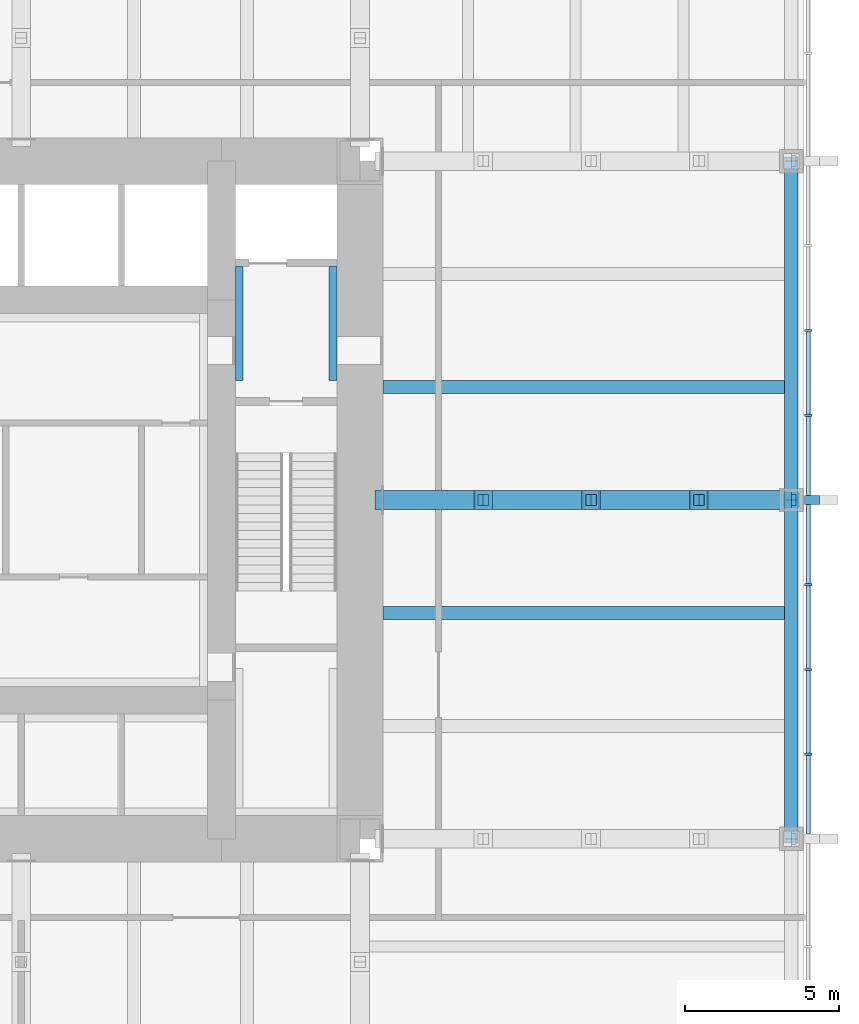
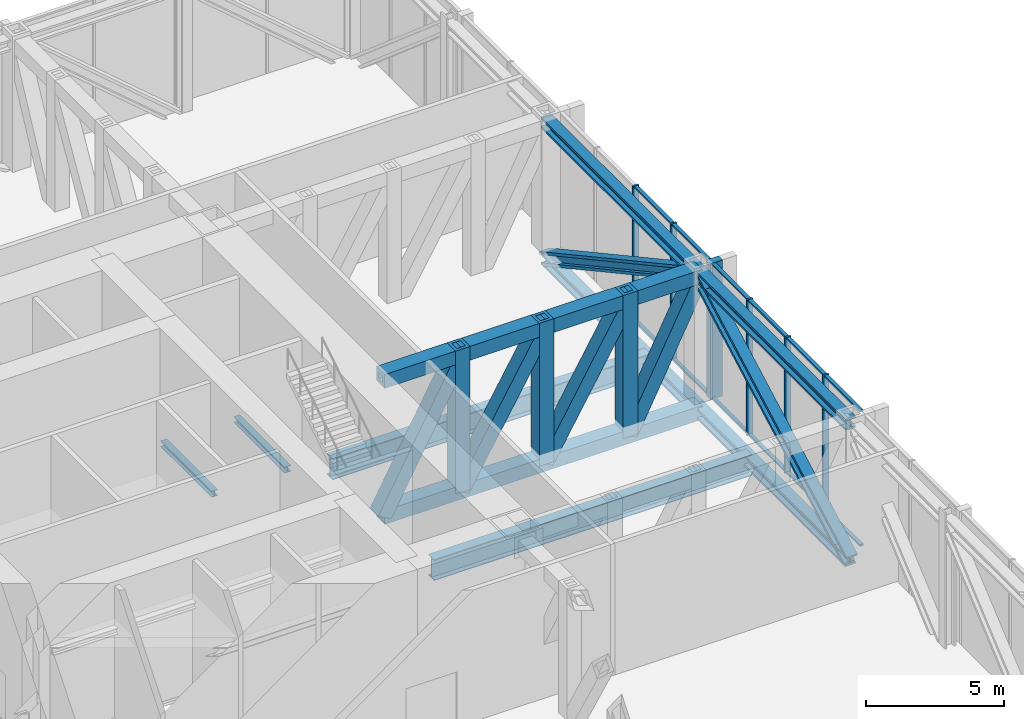
# One storey, part 6 of 13: 27 members, 13 beams, 1 element without a shape of its own.
"""IFC4 building model written with IfcOpenShell, lengths in metres."""

from ifc_helpers import new_model, si_unit, direction, frame, origin, origin_2d, place, context, subcontext, project, spatial, rectangle, hollow_rectangle, i_section, extrude, material, material_profile, profile_set, type_object, element, aggregate, save


model = new_model("IFC4")

# Units and contexts
model_context = context("Model", 3, precision=1e-05, world=origin(), true_north=direction((0.0, 1.0)))
body_context = subcontext(model_context, "Body", "Model", "MODEL_VIEW")
ifc_project = project(units=[si_unit("LENGTHUNIT", "METRE"), si_unit("AREAUNIT", "SQUARE_METRE"), si_unit("VOLUMEUNIT", "CUBIC_METRE"), si_unit("PLANEANGLEUNIT", "RADIAN"), si_unit("MASSUNIT", "GRAM", prefix="KILO")], contexts=[model_context])

# Site, building, storey
site_placement = place(None, origin())
site = spatial("IfcSite", under=ifc_project, at=site_placement, CompositionType="ELEMENT")
building_placement = place(site_placement, origin())
building = spatial("IfcBuilding", under=site, at=building_placement, Name="Trevanion Tower", CompositionType="ELEMENT")
storey_placement = place(building_placement, frame((0.0, 0.0, 89.800048828125)))
storey = spatial("IfcBuildingStorey", under=building, at=storey_placement, Name="L21", CompositionType="ELEMENT", Elevation=89.800048828125)

# Beams
ifc_material_1 = material(Name="Steel ASTM A992 Grade 50", Category="steel")
ifc_material_profile_1 = material_profile(ifc_material_1, i_section(OverallWidth=0.419189453125, OverallDepth=0.927001953125, WebThickness=0.019287109375, FlangeThickness=0.031982421875, at=origin_2d()), Name="W36X231")
ifc_profile_set_1 = profile_set([ifc_material_profile_1], Name="Steel ASTM A992 Grade 50")
beam_type_1 = type_object("IfcBeamType", Name="B5 W36X231", PredefinedType="BEAM", material=ifc_profile_set_1)
for number, where, z_axis, x_axis, name in (
    (1, (11.75, -3.666748046875, -0.653564453125), (1.0, 0.0, 0.0), (0.0, 1.0, 0.0), "B5 L21"),
    (2, (11.75, 3.666748046875, -0.653564453125), (1.0, 0.0, 0.0), (0.0, 1.0, 0.0), "B5 L21"),
):
    element("IfcBeam", number, at=place(storey_placement, frame(where, z_axis=z_axis, x_axis=x_axis)), inside=storey, type_object=beam_type_1, Name=name, PredefinedType="BEAM", context=body_context, shape_type="SweptSolid", body=[
        extrude(i_section(OverallWidth=0.419189453125, OverallDepth=0.927001953125, WebThickness=0.019287109375, FlangeThickness=0.031982421875, at=origin_2d()), origin(), (0.0, 0.0, 1.0), 13.25),
    ])
ifc_material_2 = material(Name="Steel ASTM A992 Grade 50", Category="steel")
ifc_material_profile_2 = material_profile(ifc_material_2, i_section(OverallWidth=0.431884765625, OverallDepth=0.497802734375, WebThickness=0.0556640625, FlangeThickness=0.0888671875, at=origin_2d()), Name="W14X500")
ifc_profile_set_2 = profile_set([ifc_material_profile_2], Name="Steel ASTM A992 Grade 50")
beam_type_2 = type_object("IfcBeamType", Name="BT1-CH W14X500", PredefinedType="BEAM", material=ifc_profile_set_2)
for number, where, z_axis, x_axis, name in (
    (3, (25.0, -11.0, -0.494873046875), (0.0, 1.0, 0.0), (-1.0, 0.0, 0.0), "BT1 belt truss chord"),
    (4, (25.0, -11.0, 5.505126953125), (0.0, 1.0, 0.0), (-1.0, 0.0, 0.0), "BT1 belt truss chord"),
    (5, (25.0, 0.0, -0.494873046875), (0.0, 1.0, 0.0), (-1.0, 0.0, 0.0), "BT1 belt truss chord"),
    (6, (25.0, 0.0, 5.505126953125), (0.0, 1.0, 0.0), (-1.0, 0.0, 0.0), "BT1 belt truss chord"),
):
    element("IfcBeam", number, at=place(storey_placement, frame(where, z_axis=z_axis, x_axis=x_axis)), inside=storey, type_object=beam_type_2, Name=name, PredefinedType="BEAM", context=body_context, shape_type="SweptSolid", body=[
        extrude(i_section(OverallWidth=0.431884765625, OverallDepth=0.497802734375, WebThickness=0.0556640625, FlangeThickness=0.0888671875, at=origin_2d()), origin(), (0.0, 0.0, 1.0), 11.0),
    ])

# Members
ifc_material_3 = material(Name="Steel ASTM A992 Grade 50", Category="steel")
ifc_material_profile_3 = material_profile(ifc_material_3, i_section(OverallWidth=0.449462890625, OverallDepth=0.548583984375, WebThickness=0.07177734375, FlangeThickness=0.11474609375, at=origin_2d()), Name="W14X665")
ifc_profile_set_3 = profile_set([ifc_material_profile_3], Name="Steel ASTM A992 Grade 50")
member_type_1 = type_object("IfcMemberType", Name="BT1-D W14X665", PredefinedType="BRACE", material=ifc_profile_set_3)
for number, where, z_axis, x_axis, name in (
    (7, (25.0, -11.0, -0.494873046875), (0.0, 0.877895572914, 0.478852130681), (-1.0, 0.0, 0.0), "BT1 belt truss diagonal"),
    (8, (25.0, 11.0, -0.494873046875), (0.0, -0.877895572914, 0.478852130681), (1.0, 0.0, 0.0), "BT1 belt truss diagonal"),
):
    element("IfcMember", number, at=place(storey_placement, frame(where, z_axis=z_axis, x_axis=x_axis)), inside=storey, type_object=member_type_1, Name=name, PredefinedType="BRACE", context=body_context, shape_type="SweptSolid", body=[
        extrude(i_section(OverallWidth=0.449462890625, OverallDepth=0.548583984375, WebThickness=0.07177734375, FlangeThickness=0.11474609375, at=origin_2d()), origin(), (0.0, 0.0, 1.0), 12.530029296875),
    ])

# Curtain wall, members
ifc_material_4 = material(Name="Aluminium louvres", Category="aluminium")
curtain_wall_type = type_object("IfcCurtainWallType", Name="CWL curtain wall", PredefinedType="USERDEFINED", material=ifc_material_4)
curtain_wall_placement = place(storey_placement, origin())
curtain_wall = element("IfcCurtainWall", 9, at=curtain_wall_placement, inside=storey, type_object=curtain_wall_type, Name="CWL L21 0", ObjectType="LOUVRE SCREEN", PredefinedType="USERDEFINED")
ifc_material_5 = material(Name="Aluminium extrusion, anodised bronze", Category="aluminium")
ifc_material_profile_4 = material_profile(ifc_material_5, rectangle(XDim=0.074951171875, YDim=0.25, at=origin_2d()), Name="CWL mullion")
ifc_profile_set_4 = profile_set([ifc_material_profile_4], Name="Aluminium extrusion, anodised bronze")
member_type_2 = type_object("IfcMemberType", Name="CWL mullion", PredefinedType="MULLION", material=ifc_profile_set_4)
member_1_placement = place(storey_placement, frame((25.550048828125, -8.25, -0.18994140625), z_axis=(0.0, 0.0, 1.0), x_axis=(0.0, 1.0, 0.0)))
member_1 = element("IfcMember", 10, at=member_1_placement, type_object=member_type_2, Name="CWL mullion 6", PredefinedType="MULLION", context=body_context, shape_type="SweptSolid", body=[
    extrude(rectangle(XDim=0.074951171875, YDim=0.25, at=origin_2d()), origin(), (0.0, 0.0, 1.0), 6.0),
])
member_2_placement = place(storey_placement, frame((25.550048828125, -5.5, -0.18994140625), z_axis=(0.0, 0.0, 1.0), x_axis=(0.0, 1.0, 0.0)))
member_2 = element("IfcMember", 11, at=member_2_placement, type_object=member_type_2, Name="CWL mullion 7", PredefinedType="MULLION", context=body_context, shape_type="SweptSolid", body=[
    extrude(rectangle(XDim=0.074951171875, YDim=0.25, at=origin_2d()), origin(), (0.0, 0.0, 1.0), 6.0),
])
member_3_placement = place(storey_placement, frame((25.550048828125, -2.75, -0.18994140625), z_axis=(0.0, 0.0, 1.0), x_axis=(0.0, 1.0, 0.0)))
member_3 = element("IfcMember", 12, at=member_3_placement, type_object=member_type_2, Name="CWL mullion 8", PredefinedType="MULLION", context=body_context, shape_type="SweptSolid", body=[
    extrude(rectangle(XDim=0.074951171875, YDim=0.25, at=origin_2d()), origin(), (0.0, 0.0, 1.0), 6.0),
])
member_4_placement = place(storey_placement, frame((25.550048828125, 2.75, -0.18994140625), z_axis=(0.0, 0.0, 1.0), x_axis=(0.0, 1.0, 0.0)))
member_4 = element("IfcMember", 13, at=member_4_placement, type_object=member_type_2, Name="CWL mullion 10", PredefinedType="MULLION", context=body_context, shape_type="SweptSolid", body=[
    extrude(rectangle(XDim=0.074951171875, YDim=0.25, at=origin_2d()), origin(), (0.0, 0.0, 1.0), 6.0),
])
member_5_placement = place(storey_placement, frame((25.550048828125, 5.5, -0.18994140625), z_axis=(0.0, 0.0, 1.0), x_axis=(0.0, 1.0, 0.0)))
member_5 = element("IfcMember", 14, at=member_5_placement, type_object=member_type_2, Name="CWL mullion 11", PredefinedType="MULLION", context=body_context, shape_type="SweptSolid", body=[
    extrude(rectangle(XDim=0.074951171875, YDim=0.25, at=origin_2d()), origin(), (0.0, 0.0, 1.0), 6.0),
])
ifc_material_6 = material(Name="Aluminium extrusion, anodised bronze", Category="aluminium")
ifc_material_profile_5 = material_profile(ifc_material_6, rectangle(XDim=0.300048828125, YDim=0.5, at=origin_2d()), Name="CWL pier mullion")
ifc_profile_set_5 = profile_set([ifc_material_profile_5], Name="Aluminium extrusion, anodised bronze")
member_type_3 = type_object("IfcMemberType", Name="CWL pier mullion", PredefinedType="MULLION", material=ifc_profile_set_5)
member_6_placement = place(storey_placement, frame((25.675048828125, 0.0, -0.18994140625), z_axis=(0.0, 0.0, 1.0), x_axis=(0.0, 1.0, 0.0)))
member_6 = element("IfcMember", 15, at=member_6_placement, type_object=member_type_3, Name="CWL pier mullion 9", PredefinedType="MULLION", context=body_context, shape_type="SweptSolid", body=[
    extrude(rectangle(XDim=0.300048828125, YDim=0.5, at=origin_2d()), origin(), (0.0, 0.0, 1.0), 6.0),
])
ifc_material_7 = material(Name="Aluminium extrusion, anodised bronze", Category="aluminium")
ifc_material_profile_6 = material_profile(ifc_material_7, rectangle(XDim=0.14990234375, YDim=0.074951171875, at=origin_2d()), Name="CWL transom")
ifc_profile_set_6 = profile_set([ifc_material_profile_6], Name="Aluminium extrusion, anodised bronze")
member_type_4 = type_object("IfcMemberType", Name="CWL transom", PredefinedType="USERDEFINED", material=ifc_profile_set_6)
member_7_placement = place(storey_placement, frame((25.550048828125, -10.85009765625, -0.152587890625), z_axis=(0.0, 1.0, 0.0), x_axis=(-1.0, 0.0, 0.0)))
member_7 = element("IfcMember", 16, at=member_7_placement, type_object=member_type_4, Name="CWL transom 5.1", ObjectType="TRANSOM", PredefinedType="USERDEFINED", context=body_context, shape_type="SweptSolid", body=[
    extrude(rectangle(XDim=0.14990234375, YDim=0.074951171875, at=origin_2d()), origin(), (0.0, 0.0, 1.0), 2.5625),
])
member_8_placement = place(storey_placement, frame((25.550048828125, -10.85009765625, 5.7724609375), z_axis=(0.0, 1.0, 0.0), x_axis=(-1.0, 0.0, 0.0)))
member_8 = element("IfcMember", 17, at=member_8_placement, type_object=member_type_4, Name="CWL transom 5.2", ObjectType="TRANSOM", PredefinedType="USERDEFINED", context=body_context, shape_type="SweptSolid", body=[
    extrude(rectangle(XDim=0.14990234375, YDim=0.074951171875, at=origin_2d()), origin(), (0.0, 0.0, 1.0), 2.5625),
])
member_9_placement = place(storey_placement, frame((25.550048828125, -8.21240234375, -0.152587890625), z_axis=(0.0, 1.0, 0.0), x_axis=(-1.0, 0.0, 0.0)))
member_9 = element("IfcMember", 18, at=member_9_placement, type_object=member_type_4, Name="CWL transom 6.1", ObjectType="TRANSOM", PredefinedType="USERDEFINED", context=body_context, shape_type="SweptSolid", body=[
    extrude(rectangle(XDim=0.14990234375, YDim=0.074951171875, at=origin_2d()), origin(), (0.0, 0.0, 1.0), 2.6748046875),
])
member_10_placement = place(storey_placement, frame((25.550048828125, -8.21240234375, 5.7724609375), z_axis=(0.0, 1.0, 0.0), x_axis=(-1.0, 0.0, 0.0)))
member_10 = element("IfcMember", 19, at=member_10_placement, type_object=member_type_4, Name="CWL transom 6.2", ObjectType="TRANSOM", PredefinedType="USERDEFINED", context=body_context, shape_type="SweptSolid", body=[
    extrude(rectangle(XDim=0.14990234375, YDim=0.074951171875, at=origin_2d()), origin(), (0.0, 0.0, 1.0), 2.6748046875),
])
member_11_placement = place(storey_placement, frame((25.550048828125, -5.46240234375, -0.152587890625), z_axis=(0.0, 1.0, 0.0), x_axis=(-1.0, 0.0, 0.0)))
member_11 = element("IfcMember", 20, at=member_11_placement, type_object=member_type_4, Name="CWL transom 7.1", ObjectType="TRANSOM", PredefinedType="USERDEFINED", context=body_context, shape_type="SweptSolid", body=[
    extrude(rectangle(XDim=0.14990234375, YDim=0.074951171875, at=origin_2d()), origin(), (0.0, 0.0, 1.0), 2.6748046875),
])
member_12_placement = place(storey_placement, frame((25.550048828125, -5.46240234375, 5.7724609375), z_axis=(0.0, 1.0, 0.0), x_axis=(-1.0, 0.0, 0.0)))
member_12 = element("IfcMember", 21, at=member_12_placement, type_object=member_type_4, Name="CWL transom 7.2", ObjectType="TRANSOM", PredefinedType="USERDEFINED", context=body_context, shape_type="SweptSolid", body=[
    extrude(rectangle(XDim=0.14990234375, YDim=0.074951171875, at=origin_2d()), origin(), (0.0, 0.0, 1.0), 2.6748046875),
])
member_13_placement = place(storey_placement, frame((25.550048828125, -2.71240234375, -0.152587890625), z_axis=(0.0, 1.0, 0.0), x_axis=(-1.0, 0.0, 0.0)))
member_13 = element("IfcMember", 22, at=member_13_placement, type_object=member_type_4, Name="CWL transom 8.1", ObjectType="TRANSOM", PredefinedType="USERDEFINED", context=body_context, shape_type="SweptSolid", body=[
    extrude(rectangle(XDim=0.14990234375, YDim=0.074951171875, at=origin_2d()), origin(), (0.0, 0.0, 1.0), 2.5625),
])
member_14_placement = place(storey_placement, frame((25.550048828125, -2.71240234375, 5.7724609375), z_axis=(0.0, 1.0, 0.0), x_axis=(-1.0, 0.0, 0.0)))
member_14 = element("IfcMember", 23, at=member_14_placement, type_object=member_type_4, Name="CWL transom 8.2", ObjectType="TRANSOM", PredefinedType="USERDEFINED", context=body_context, shape_type="SweptSolid", body=[
    extrude(rectangle(XDim=0.14990234375, YDim=0.074951171875, at=origin_2d()), origin(), (0.0, 0.0, 1.0), 2.5625),
])
member_15_placement = place(storey_placement, frame((25.550048828125, 0.14990234375, -0.152587890625), z_axis=(0.0, 1.0, 0.0), x_axis=(-1.0, 0.0, 0.0)))
member_15 = element("IfcMember", 24, at=member_15_placement, type_object=member_type_4, Name="CWL transom 9.1", ObjectType="TRANSOM", PredefinedType="USERDEFINED", context=body_context, shape_type="SweptSolid", body=[
    extrude(rectangle(XDim=0.14990234375, YDim=0.074951171875, at=origin_2d()), origin(), (0.0, 0.0, 1.0), 2.5625),
])
member_16_placement = place(storey_placement, frame((25.550048828125, 0.14990234375, 5.7724609375), z_axis=(0.0, 1.0, 0.0), x_axis=(-1.0, 0.0, 0.0)))
member_16 = element("IfcMember", 25, at=member_16_placement, type_object=member_type_4, Name="CWL transom 9.2", ObjectType="TRANSOM", PredefinedType="USERDEFINED", context=body_context, shape_type="SweptSolid", body=[
    extrude(rectangle(XDim=0.14990234375, YDim=0.074951171875, at=origin_2d()), origin(), (0.0, 0.0, 1.0), 2.5625),
])
member_17_placement = place(storey_placement, frame((25.550048828125, 2.78759765625, -0.152587890625), z_axis=(0.0, 1.0, 0.0), x_axis=(-1.0, 0.0, 0.0)))
member_17 = element("IfcMember", 26, at=member_17_placement, type_object=member_type_4, Name="CWL transom 10.1", ObjectType="TRANSOM", PredefinedType="USERDEFINED", context=body_context, shape_type="SweptSolid", body=[
    extrude(rectangle(XDim=0.14990234375, YDim=0.074951171875, at=origin_2d()), origin(), (0.0, 0.0, 1.0), 2.6748046875),
])
member_18_placement = place(storey_placement, frame((25.550048828125, 2.78759765625, 5.7724609375), z_axis=(0.0, 1.0, 0.0), x_axis=(-1.0, 0.0, 0.0)))
member_18 = element("IfcMember", 27, at=member_18_placement, type_object=member_type_4, Name="CWL transom 10.2", ObjectType="TRANSOM", PredefinedType="USERDEFINED", context=body_context, shape_type="SweptSolid", body=[
    extrude(rectangle(XDim=0.14990234375, YDim=0.074951171875, at=origin_2d()), origin(), (0.0, 0.0, 1.0), 2.6748046875),
])
aggregate(curtain_wall, [member_1, member_2, member_3, member_6, member_4, member_5, member_7, member_8, member_9, member_10, member_11, member_12, member_13, member_14, member_15, member_16, member_17, member_18])

# Beams
ifc_material_8 = material(Name="Steel ASTM A992 Grade 50", Category="steel")
ifc_material_profile_7 = material_profile(ifc_material_8, i_section(OverallWidth=0.256591796875, OverallDepth=0.26416015625, WebThickness=0.011962890625, FlangeThickness=0.01953125, at=origin_2d()), Name="W10X68")
ifc_profile_set_7 = profile_set([ifc_material_profile_7], Name="Steel ASTM A992 Grade 50")
beam_type_3 = type_object("IfcBeamType", Name="LB1 W10X68", PredefinedType="BEAM", material=ifc_profile_set_7)
for number, where, z_axis, x_axis, name in (
    (28, (7.078369140625, 3.875, -0.33203125), (0.0, 1.0, 0.0), (-1.0, 0.0, 0.0), "LB1 L21"),
    (29, (10.12158203125, 3.875, -0.33203125), (0.0, 1.0, 0.0), (-1.0, 0.0, 0.0), "LB1 L21"),
):
    element("IfcBeam", number, at=place(storey_placement, frame(where, z_axis=z_axis, x_axis=x_axis)), inside=storey, type_object=beam_type_3, Name=name, PredefinedType="BEAM", context=body_context, shape_type="SweptSolid", body=[
        extrude(i_section(OverallWidth=0.256591796875, OverallDepth=0.26416015625, WebThickness=0.011962890625, FlangeThickness=0.01953125, at=origin_2d()), origin(), (0.0, 0.0, 1.0), 3.699951171875),
    ])
ifc_material_9 = material(Name="Steel ASTM A588 Grade 50", Category="steel")
ifc_material_profile_8 = material_profile(ifc_material_9, hollow_rectangle(XDim=0.609619140625, YDim=0.609619140625, WallThickness=0.15234375, at=origin_2d()), Name="BOX24X24X6")
ifc_profile_set_8 = profile_set([ifc_material_profile_8], Name="Steel ASTM A588 Grade 50")
beam_type_4 = type_object("IfcBeamType", Name="OT1-CH BOX24X24X6", PredefinedType="BEAM", material=ifc_profile_set_8)
beam_1_placement = place(storey_placement, frame((11.75, 0.0, -0.494873046875), z_axis=(1.0, 0.0, 0.0), x_axis=(0.0, 1.0, 0.0)))
element("IfcBeam", 30, at=beam_1_placement, inside=storey, type_object=beam_type_4, Name="OT1 17/H outrigger and transfer truss chord", PredefinedType="BEAM", context=body_context, shape_type="SweptSolid", body=[
    extrude(hollow_rectangle(XDim=0.609619140625, YDim=0.609619140625, WallThickness=0.15234375, at=origin_2d()), origin(), (0.0, 0.0, 1.0), 13.25),
])
beam_2_placement = place(storey_placement, frame((11.75, 0.0, 5.505126953125), z_axis=(1.0, 0.0, 0.0), x_axis=(0.0, 1.0, 0.0)))
element("IfcBeam", 31, at=beam_2_placement, inside=storey, type_object=beam_type_4, Name="OT1 17/H outrigger and transfer truss chord", PredefinedType="BEAM", context=body_context, shape_type="SweptSolid", body=[
    extrude(hollow_rectangle(XDim=0.609619140625, YDim=0.609619140625, WallThickness=0.15234375, at=origin_2d()), origin(), (0.0, 0.0, 1.0), 3.25),
])
for number, where, z_axis, x_axis, name in (
    (32, (15.0, 0.0, 5.505126953125), (1.0, 0.0, 0.0), (0.0, 1.0, 0.0), "OT1 17/H outrigger and transfer truss chord"),
    (33, (18.5, 0.0, 5.505126953125), (1.0, 0.0, 0.0), (0.0, 1.0, 0.0), "OT1 17/H outrigger and transfer truss chord"),
):
    element("IfcBeam", number, at=place(storey_placement, frame(where, z_axis=z_axis, x_axis=x_axis)), inside=storey, type_object=beam_type_4, Name=name, PredefinedType="BEAM", context=body_context, shape_type="SweptSolid", body=[
        extrude(hollow_rectangle(XDim=0.609619140625, YDim=0.609619140625, WallThickness=0.15234375, at=origin_2d()), origin(), (0.0, 0.0, 1.0), 3.5),
    ])
beam_3_placement = place(storey_placement, frame((22.0, 0.0, 5.505126953125), z_axis=(1.0, 0.0, 0.0), x_axis=(0.0, 1.0, 0.0)))
element("IfcBeam", 34, at=beam_3_placement, inside=storey, type_object=beam_type_4, Name="OT1 17/H outrigger and transfer truss chord", PredefinedType="BEAM", context=body_context, shape_type="SweptSolid", body=[
    extrude(hollow_rectangle(XDim=0.609619140625, YDim=0.609619140625, WallThickness=0.15234375, at=origin_2d()), origin(), (0.0, 0.0, 1.0), 3.0),
])

# Members
ifc_material_10 = material(Name="Steel ASTM A588 Grade 50", Category="steel")
ifc_material_profile_9 = material_profile(ifc_material_10, hollow_rectangle(XDim=0.609619140625, YDim=0.609619140625, WallThickness=0.126953125, at=origin_2d()), Name="BOX24X24X5")
ifc_profile_set_9 = profile_set([ifc_material_profile_9], Name="Steel ASTM A588 Grade 50")
member_type_5 = type_object("IfcMemberType", Name="OT1-D BOX24X24X5", PredefinedType="BRACE", material=ifc_profile_set_9)
member_19_placement = place(storey_placement, frame((11.75, 0.0, -0.494873046875), z_axis=(0.476283148541, 0.0, 0.879291966537), x_axis=(0.0, 1.0, 0.0)))
element("IfcMember", 35, at=member_19_placement, inside=storey, type_object=member_type_5, Name="OT1 17/H outrigger and transfer truss diagonal", PredefinedType="BRACE", context=body_context, shape_type="SweptSolid", body=[
    extrude(hollow_rectangle(XDim=0.609619140625, YDim=0.609619140625, WallThickness=0.126953125, at=origin_2d()), origin(), (0.0, 0.0, 1.0), 6.82373046875),
])
for number, where, z_axis, x_axis, name in (
    (36, (15.0, 0.0, -0.494873046875), (0.503871025524, 0.0, 0.863778900898), (0.0, 1.0, 0.0), "OT1 17/H outrigger and transfer truss diagonal"),
    (37, (18.5, 0.0, -0.494873046875), (0.503871025524, 0.0, 0.863778900898), (0.0, 1.0, 0.0), "OT1 17/H outrigger and transfer truss diagonal"),
):
    element("IfcMember", number, at=place(storey_placement, frame(where, z_axis=z_axis, x_axis=x_axis)), inside=storey, type_object=member_type_5, Name=name, PredefinedType="BRACE", context=body_context, shape_type="SweptSolid", body=[
        extrude(hollow_rectangle(XDim=0.609619140625, YDim=0.609619140625, WallThickness=0.126953125, at=origin_2d()), origin(), (0.0, 0.0, 1.0), 6.9462890625),
    ])
member_20_placement = place(storey_placement, frame((22.0, 0.0, -0.494873046875), z_axis=(0.4472135955, 0.0, 0.894427191), x_axis=(0.0, 1.0, 0.0)))
element("IfcMember", 38, at=member_20_placement, inside=storey, type_object=member_type_5, Name="OT1 17/H outrigger and transfer truss diagonal", PredefinedType="BRACE", context=body_context, shape_type="SweptSolid", body=[
    extrude(hollow_rectangle(XDim=0.609619140625, YDim=0.609619140625, WallThickness=0.126953125, at=origin_2d()), origin(), (0.0, 0.0, 1.0), 6.708251953125),
])
ifc_material_11 = material(Name="Steel ASTM A588 Grade 50", Category="steel")
ifc_material_profile_10 = material_profile(ifc_material_11, hollow_rectangle(XDim=0.609619140625, YDim=0.609619140625, WallThickness=0.126953125, at=origin_2d()), Name="BOX24X24X5")
ifc_profile_set_10 = profile_set([ifc_material_profile_10], Name="Steel ASTM A588 Grade 50")
member_type_6 = type_object("IfcMemberType", Name="OT1-V BOX24X24X5", PredefinedType="POST", material=ifc_profile_set_10)
for number, where, z_axis, x_axis, name in (
    (39, (15.0, 0.0, -0.494873046875), (0.0, 0.0, 1.0), (1.0, 0.0, 0.0), "OT1 17/H outrigger and transfer truss vertical"),
    (40, (18.5, 0.0, -0.494873046875), (0.0, 0.0, 1.0), (1.0, 0.0, 0.0), "OT1 17/H outrigger and transfer truss vertical"),
    (41, (22.0, 0.0, -0.494873046875), (0.0, 0.0, 1.0), (1.0, 0.0, 0.0), "OT1 17/H outrigger and transfer truss vertical"),
):
    element("IfcMember", number, at=place(storey_placement, frame(where, z_axis=z_axis, x_axis=x_axis)), inside=storey, type_object=member_type_6, Name=name, PredefinedType="POST", context=body_context, shape_type="SweptSolid", body=[
        extrude(hollow_rectangle(XDim=0.609619140625, YDim=0.609619140625, WallThickness=0.126953125, at=origin_2d()), origin(), (0.0, 0.0, 1.0), 6.304931640625),
    ])

save(model, "model.ifc")
